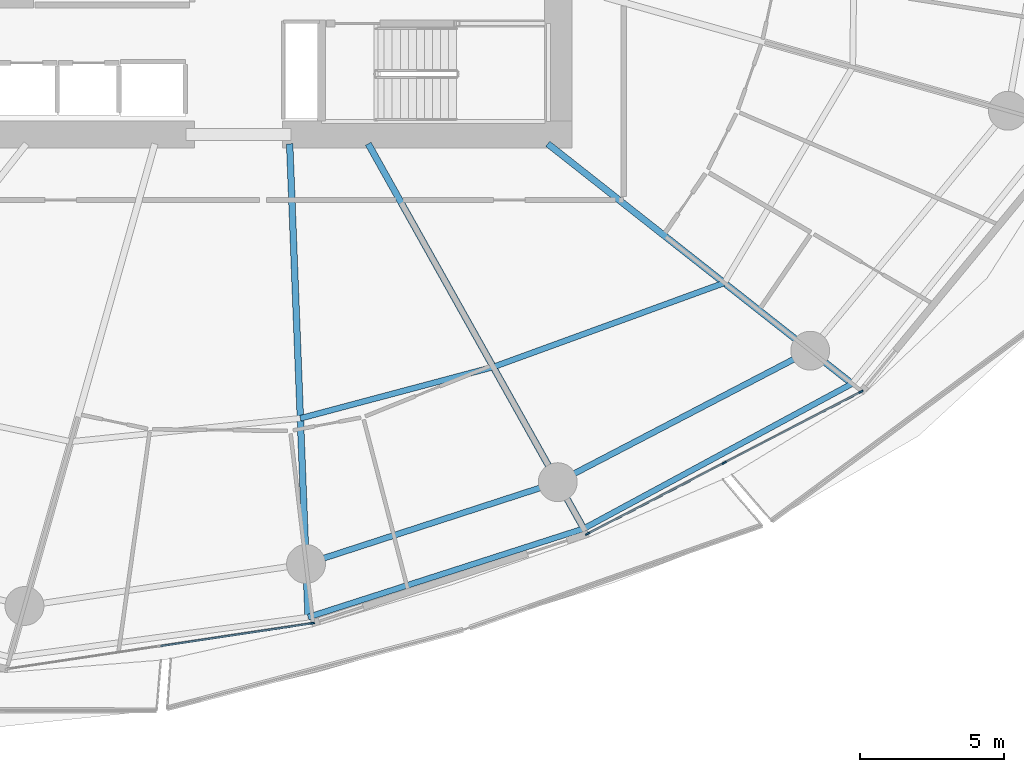
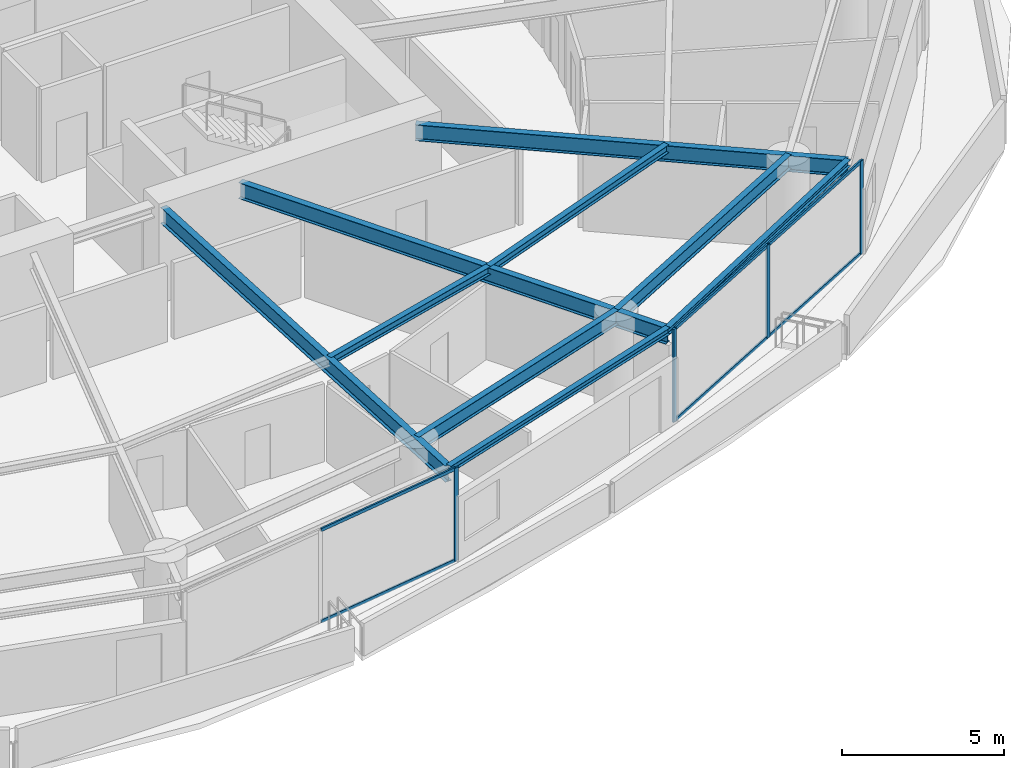
# One storey, part 9 of 31: 10 members, 9 beams, 2 elements without a shape of their own.
"""IFC4 building model written with IfcOpenShell, lengths in metres."""

from ifc_helpers import new_model, si_unit, direction, frame, origin, origin_2d, place, context, subcontext, project, spatial, rectangle, i_section, extrude, material, layer, layer_set, material_profile, profile_set, type_object, element, aggregate, save


model = new_model("IFC4")

# Units and contexts
model_context = context("Model", 3, precision=1e-05, world=origin(), true_north=direction((0.0, 1.0)))
body_context = subcontext(model_context, "Body", "Model", "MODEL_VIEW")
ifc_project = project(units=[si_unit("LENGTHUNIT", "METRE"), si_unit("AREAUNIT", "SQUARE_METRE"), si_unit("VOLUMEUNIT", "CUBIC_METRE"), si_unit("PLANEANGLEUNIT", "RADIAN"), si_unit("MASSUNIT", "GRAM", prefix="KILO")], contexts=[model_context])

# Site, building, storey
site_placement = place(None, origin())
site = spatial("IfcSite", under=ifc_project, at=site_placement, CompositionType="ELEMENT")
building_placement = place(site_placement, origin())
building = spatial("IfcBuilding", under=site, at=building_placement, Name="Kazma Halo Residences", CompositionType="ELEMENT")
storey_placement = place(building_placement, frame((0.0, 0.0, 60.14990234375)))
storey = spatial("IfcBuildingStorey", under=building, at=storey_placement, Name="L14", CompositionType="ELEMENT", Elevation=60.14990234375)

# Beams
ifc_material_1 = material(Name="Steel S355", Category="steel")
ifc_material_profile_1 = material_profile(ifc_material_1, i_section(OverallWidth=0.201904296875, OverallDepth=0.2470703125, WebThickness=0.00732421875, FlangeThickness=0.010986328125, FilletRadius=0.011962890625, at=origin_2d()), Name="W250x49.1")
ifc_profile_set_1 = profile_set([ifc_material_profile_1], Name="Steel S355")
beam_type_1 = type_object("IfcBeamType", Name="BM-BAL-CANT", PredefinedType="BEAM", material=ifc_profile_set_1)
beam_1_placement = place(storey_placement, frame((50.84033203125, 16.761962890625, 3.376708984375), z_axis=(0.952101049535, 0.305783569662, 0.0), x_axis=(-0.305783569662, 0.952101049535, 0.0)))
element("IfcBeam", 1, at=beam_1_placement, inside=storey, type_object=beam_type_1, Name="L14 wave-balcony tie beam 12", PredefinedType="BEAM", context=body_context, shape_type="SweptSolid", body=[
    extrude(i_section(OverallWidth=0.201904296875, OverallDepth=0.2470703125, WebThickness=0.00732421875, FlangeThickness=0.010986328125, FilletRadius=0.011962890625, at=origin_2d()), origin(), (0.0, 0.0, 1.0), 10.053466796875),
])
beam_2_placement = place(storey_placement, frame((60.412353515625, 19.836181640625, 3.376708984375), z_axis=(0.879759421466, 0.47541914175, 0.0), x_axis=(-0.47541914175, 0.879759421466, 0.0)))
element("IfcBeam", 2, at=beam_2_placement, inside=storey, type_object=beam_type_1, Name="L14 wave-balcony tie beam 13", PredefinedType="BEAM", context=body_context, shape_type="SweptSolid", body=[
    extrude(i_section(OverallWidth=0.201904296875, OverallDepth=0.2470703125, WebThickness=0.00732421875, FlangeThickness=0.010986328125, FilletRadius=0.011962890625, at=origin_2d()), origin(), (0.0, 0.0, 1.0), 10.58935546875),
])
ifc_material_profile_2 = material_profile(ifc_material_1, i_section(OverallWidth=0.22802734375, OverallDepth=0.60791015625, WebThickness=0.01123046875, FlangeThickness=0.017333984375, FilletRadius=0.01806640625, at=origin_2d()), Name="W610x113")
ifc_profile_set_2 = profile_set([ifc_material_profile_2], Name="Steel S355")
beam_type_2 = type_object("IfcBeamType", Name="BM-RAD-W610", PredefinedType="BEAM", material=ifc_profile_set_2)
beam_3_placement = place(storey_placement, frame((50.199951171875, 33.199951171875, 3.196044921875), z_axis=(0.038927845379, -0.999242024163, 0.0), x_axis=(0.999242024163, 0.038927845379, 0.0)))
element("IfcBeam", 3, at=beam_3_placement, inside=storey, type_object=beam_type_2, Name="L14 radial floor beam 12", PredefinedType="BEAM", context=body_context, shape_type="SweptSolid", body=[
    extrude(i_section(OverallWidth=0.22802734375, OverallDepth=0.60791015625, WebThickness=0.01123046875, FlangeThickness=0.017333984375, FilletRadius=0.01806640625, at=origin_2d()), origin(), (0.0, 0.0, 1.0), 16.450439453125),
])
beam_4_placement = place(storey_placement, frame((52.92822265625, 33.199951171875, 3.196044921875), z_axis=(0.488624239587, -0.872494328055, 0.0), x_axis=(0.872494328055, 0.488624239587, 0.0)))
element("IfcBeam", 4, at=beam_4_placement, inside=storey, type_object=beam_type_2, Name="L14 radial floor beam 13", PredefinedType="BEAM", context=body_context, shape_type="SweptSolid", body=[
    extrude(i_section(OverallWidth=0.22802734375, OverallDepth=0.60791015625, WebThickness=0.01123046875, FlangeThickness=0.017333984375, FilletRadius=0.01806640625, at=origin_2d()), origin(), (0.0, 0.0, 1.0), 15.316650390625),
])
beam_5_placement = place(storey_placement, frame((59.16259765625, 33.199951171875, 3.196044921875), z_axis=(0.785322437877, -0.619086963655, 0.0), x_axis=(0.619086963655, 0.785322437877, 0.0)))
element("IfcBeam", 5, at=beam_5_placement, inside=storey, type_object=beam_type_2, Name="L14 radial floor beam 14", PredefinedType="BEAM", context=body_context, shape_type="SweptSolid", body=[
    extrude(i_section(OverallWidth=0.22802734375, OverallDepth=0.60791015625, WebThickness=0.01123046875, FlangeThickness=0.017333984375, FilletRadius=0.01806640625, at=origin_2d()), origin(), (0.0, 0.0, 1.0), 13.454345703125),
])
ifc_material_profile_3 = material_profile(ifc_material_1, i_section(OverallWidth=0.202880859375, OverallDepth=0.302978515625, WebThickness=0.007568359375, FlangeThickness=0.01318359375, FilletRadius=0.013916015625, at=origin_2d()), Name="W310x60")
ifc_profile_set_3 = profile_set([ifc_material_profile_3], Name="Steel S355")
beam_type_3 = type_object("IfcBeamType", Name="BM-SEC-W310A", PredefinedType="JOIST", material=ifc_profile_set_3)
beam_6_placement = place(storey_placement, frame((50.5712890625, 23.666015625, 3.3486328125), z_axis=(0.966337757832, 0.257276772735, 0.0), x_axis=(-0.257276772735, 0.966337757832, 0.0)))
element("IfcBeam", 6, at=beam_6_placement, inside=storey, type_object=beam_type_3, Name="L14 circumferential floor joist 12", PredefinedType="JOIST", context=body_context, shape_type="SweptSolid", body=[
    extrude(i_section(OverallWidth=0.202880859375, OverallDepth=0.302978515625, WebThickness=0.007568359375, FlangeThickness=0.01318359375, FilletRadius=0.013916015625, at=origin_2d()), origin(), (0.0, 0.0, 1.0), 6.93115234375),
])
beam_7_placement = place(storey_placement, frame((57.26904296875, 25.44921875, 3.3486328125), z_axis=(0.939695690299, 0.34201170979, 0.0), x_axis=(-0.34201170979, 0.939695690299, 0.0)))
element("IfcBeam", 7, at=beam_7_placement, inside=storey, type_object=beam_type_3, Name="L14 circumferential floor joist 13", PredefinedType="JOIST", context=body_context, shape_type="SweptSolid", body=[
    extrude(i_section(OverallWidth=0.202880859375, OverallDepth=0.302978515625, WebThickness=0.007568359375, FlangeThickness=0.01318359375, FilletRadius=0.013916015625, at=origin_2d()), origin(), (0.0, 0.0, 1.0), 8.536865234375),
])
ifc_material_profile_4 = material_profile(ifc_material_1, i_section(OverallWidth=0.208984375, OverallDepth=0.532958984375, WebThickness=0.01025390625, FlangeThickness=0.015625, FilletRadius=0.01611328125, at=origin_2d()), Name="W530x92")
ifc_profile_set_4 = profile_set([ifc_material_profile_4], Name="Steel S355")
beam_type_4 = type_object("IfcBeamType", Name="BM-SPN-W530", PredefinedType="BEAM", material=ifc_profile_set_4)
beam_8_placement = place(storey_placement, frame((50.768310546875, 18.610595703125, 3.233642578125), z_axis=(0.951054956346, 0.309021795363, 0.0), x_axis=(-0.309021795363, 0.951054956346, 0.0)))
element("IfcBeam", 8, at=beam_8_placement, inside=storey, type_object=beam_type_4, Name="L14 perimeter ring beam 12", PredefinedType="BEAM", context=body_context, shape_type="SweptSolid", body=[
    extrude(i_section(OverallWidth=0.208984375, OverallDepth=0.532958984375, WebThickness=0.01025390625, FlangeThickness=0.015625, FilletRadius=0.01611328125, at=origin_2d()), origin(), (0.0, 0.0, 1.0), 9.189697265625),
])
beam_9_placement = place(storey_placement, frame((59.50830078125, 21.450439453125, 3.233642578125), z_axis=(0.886956241699, 0.461853467358, 0.0), x_axis=(-0.461853467358, 0.886956241699, 0.0)))
element("IfcBeam", 9, at=beam_9_placement, inside=storey, type_object=beam_type_4, Name="L14 perimeter ring beam 13", PredefinedType="BEAM", context=body_context, shape_type="SweptSolid", body=[
    extrude(i_section(OverallWidth=0.208984375, OverallDepth=0.532958984375, WebThickness=0.01025390625, FlangeThickness=0.015625, FilletRadius=0.01611328125, at=origin_2d()), origin(), (0.0, 0.0, 1.0), 9.885009765625),
])

# Curtain wall, member
ifc_material_2 = material(Name="Aluminium AW-6063 T6 and Triple-Silver Low-E Glass", Category="aluminium")
ifc_layer = layer(ifc_material_2, 0.159912109375)
ifc_layer_set = layer_set([ifc_layer], Name="Aluminium AW-6063 T6 and Triple-Silver Low-E Glass")
curtain_wall_type = type_object("IfcCurtainWallType", Name="CW-SYS-2", PredefinedType="NOTDEFINED", material=ifc_layer_set)
curtain_wall_1_placement = place(storey_placement, origin())
curtain_wall_1 = element("IfcCurtainWall", 10, at=curtain_wall_1_placement, inside=storey, type_object=curtain_wall_type, Name="L14 unitised curtain wall B11", PredefinedType="NOTDEFINED")
ifc_material_3 = material(Name="Aluminium AW-6063 T6", Category="aluminium")
ifc_material_profile_5 = material_profile(ifc_material_3, rectangle(XDim=0.06005859375, YDim=0.159912109375, at=origin_2d()), Name="CWM-60x160")
ifc_profile_set_5 = profile_set([ifc_material_profile_5], Name="Aluminium AW-6063 T6")
member_type_1 = type_object("IfcMemberType", Name="CW-SYS-2-MUL", PredefinedType="MULLION", material=ifc_profile_set_5)
member_1_placement = place(storey_placement, frame((50.981689453125, 16.552490234375, 0.0), z_axis=(0.0, 0.0, 1.0), x_axis=(-0.148657272805, 0.988888777994, 0.0)))
member_1 = element("IfcMember", 11, at=member_1_placement, type_object=member_type_1, Name="CWS-2 mullion 3", PredefinedType="MULLION", context=body_context, shape_type="SweptSolid", body=[
    extrude(rectangle(XDim=0.06005859375, YDim=0.159912109375, at=origin_2d()), origin(), (0.0, 0.0, 1.0), 3.5),
])

# Curtain wall, members
curtain_wall_2_placement = place(storey_placement, origin())
curtain_wall_2 = element("IfcCurtainWall", 12, at=curtain_wall_2_placement, inside=storey, type_object=curtain_wall_type, Name="L14 unitised curtain wall B13", PredefinedType="NOTDEFINED")
member_2_placement = place(storey_placement, frame((60.54541015625, 19.659912109375, 0.0), z_axis=(0.0, 0.0, 1.0), x_axis=(-0.460995912628, 0.887402258584, 0.0)))
member_2 = element("IfcMember", 13, at=member_2_placement, type_object=member_type_1, Name="CWS-2 mullion 1", PredefinedType="MULLION", context=body_context, shape_type="SweptSolid", body=[
    extrude(rectangle(XDim=0.06005859375, YDim=0.159912109375, at=origin_2d()), origin(), (0.0, 0.0, 1.0), 3.5),
])
member_3_placement = place(storey_placement, frame((65.2919921875, 22.125732421875, 0.0), z_axis=(0.0, 0.0, 1.0), x_axis=(-0.460995912628, 0.887402258584, 0.0)))
member_3 = element("IfcMember", 14, at=member_3_placement, type_object=member_type_1, Name="CWS-2 mullion 2", PredefinedType="MULLION", context=body_context, shape_type="SweptSolid", body=[
    extrude(rectangle(XDim=0.06005859375, YDim=0.159912109375, at=origin_2d()), origin(), (0.0, 0.0, 1.0), 3.5),
])
member_4_placement = place(storey_placement, frame((70.03857421875, 24.591552734375, 0.0), z_axis=(0.0, 0.0, 1.0), x_axis=(-0.460995912628, 0.887402258584, 0.0)))
member_4 = element("IfcMember", 15, at=member_4_placement, type_object=member_type_1, Name="CWS-2 mullion 3", PredefinedType="MULLION", context=body_context, shape_type="SweptSolid", body=[
    extrude(rectangle(XDim=0.06005859375, YDim=0.159912109375, at=origin_2d()), origin(), (0.0, 0.0, 1.0), 3.5),
])

# Member
ifc_material_profile_6 = material_profile(ifc_material_3, rectangle(XDim=0.06005859375, YDim=0.1201171875, at=origin_2d()), Name="CWT-60x120")
ifc_profile_set_6 = profile_set([ifc_material_profile_6], Name="Aluminium AW-6063 T6")
member_type_2 = type_object("IfcMemberType", Name="CW-SYS-2-TRN", PredefinedType="USERDEFINED", material=ifc_profile_set_6)
member_5_placement = place(storey_placement, frame((45.721923828125, 15.761962890625, 0.030029296875), z_axis=(0.98889195415, 0.148636143041, 0.0), x_axis=(-0.148636143041, 0.98889195415, 0.0)))
member_5 = element("IfcMember", 16, at=member_5_placement, type_object=member_type_2, Name="CWS-2 transom 2.1", ObjectType="TRANSOM", PredefinedType="USERDEFINED", context=body_context, shape_type="SweptSolid", body=[
    extrude(rectangle(XDim=0.06005859375, YDim=0.1201171875, at=origin_2d()), origin(), (0.0, 0.0, 1.0), 5.2890625),
])

member_6_placement = place(storey_placement, frame((45.721923828125, 15.761962890625, 3.47021484375), z_axis=(0.98889195415, 0.148636143041, 0.0), x_axis=(-0.148636143041, 0.98889195415, 0.0)))
member_6 = element("IfcMember", 17, at=member_6_placement, type_object=member_type_2, Name="CWS-2 transom 2.2", ObjectType="TRANSOM", PredefinedType="USERDEFINED", context=body_context, shape_type="SweptSolid", body=[
    extrude(rectangle(XDim=0.06005859375, YDim=0.1201171875, at=origin_2d()), origin(), (0.0, 0.0, 1.0), 5.2890625),
])

aggregate(curtain_wall_1, [member_1, member_5, member_6])

member_7_placement = place(storey_placement, frame((60.572021484375, 19.673828125, 0.030029296875), z_axis=(0.887414738583, 0.460971888238, 0.0), x_axis=(-0.460971888238, 0.887414738583, 0.0)))
member_7 = element("IfcMember", 18, at=member_7_placement, type_object=member_type_2, Name="CWS-2 transom 1.1", ObjectType="TRANSOM", PredefinedType="USERDEFINED", context=body_context, shape_type="SweptSolid", body=[
    extrude(rectangle(XDim=0.06005859375, YDim=0.1201171875, at=origin_2d()), origin(), (0.0, 0.0, 1.0), 5.288818359375),
])

member_8_placement = place(storey_placement, frame((60.572021484375, 19.673828125, 3.47021484375), z_axis=(0.887414738583, 0.460971888238, 0.0), x_axis=(-0.460971888238, 0.887414738583, 0.0)))
member_8 = element("IfcMember", 19, at=member_8_placement, type_object=member_type_2, Name="CWS-2 transom 1.2", ObjectType="TRANSOM", PredefinedType="USERDEFINED", context=body_context, shape_type="SweptSolid", body=[
    extrude(rectangle(XDim=0.06005859375, YDim=0.1201171875, at=origin_2d()), origin(), (0.0, 0.0, 1.0), 5.288818359375),
])

member_9_placement = place(storey_placement, frame((65.318603515625, 22.1396484375, 0.030029296875), z_axis=(0.887414738583, 0.460971888238, 0.0), x_axis=(-0.460971888238, 0.887414738583, 0.0)))
member_9 = element("IfcMember", 20, at=member_9_placement, type_object=member_type_2, Name="CWS-2 transom 2.1", ObjectType="TRANSOM", PredefinedType="USERDEFINED", context=body_context, shape_type="SweptSolid", body=[
    extrude(rectangle(XDim=0.06005859375, YDim=0.1201171875, at=origin_2d()), origin(), (0.0, 0.0, 1.0), 5.288818359375),
])

member_10_placement = place(storey_placement, frame((65.318603515625, 22.1396484375, 3.47021484375), z_axis=(0.887414738583, 0.460971888238, 0.0), x_axis=(-0.460971888238, 0.887414738583, 0.0)))
member_10 = element("IfcMember", 21, at=member_10_placement, type_object=member_type_2, Name="CWS-2 transom 2.2", ObjectType="TRANSOM", PredefinedType="USERDEFINED", context=body_context, shape_type="SweptSolid", body=[
    extrude(rectangle(XDim=0.06005859375, YDim=0.1201171875, at=origin_2d()), origin(), (0.0, 0.0, 1.0), 5.288818359375),
])

aggregate(curtain_wall_2, [member_2, member_3, member_4, member_7, member_8, member_9, member_10])

save(model, "model.ifc")
